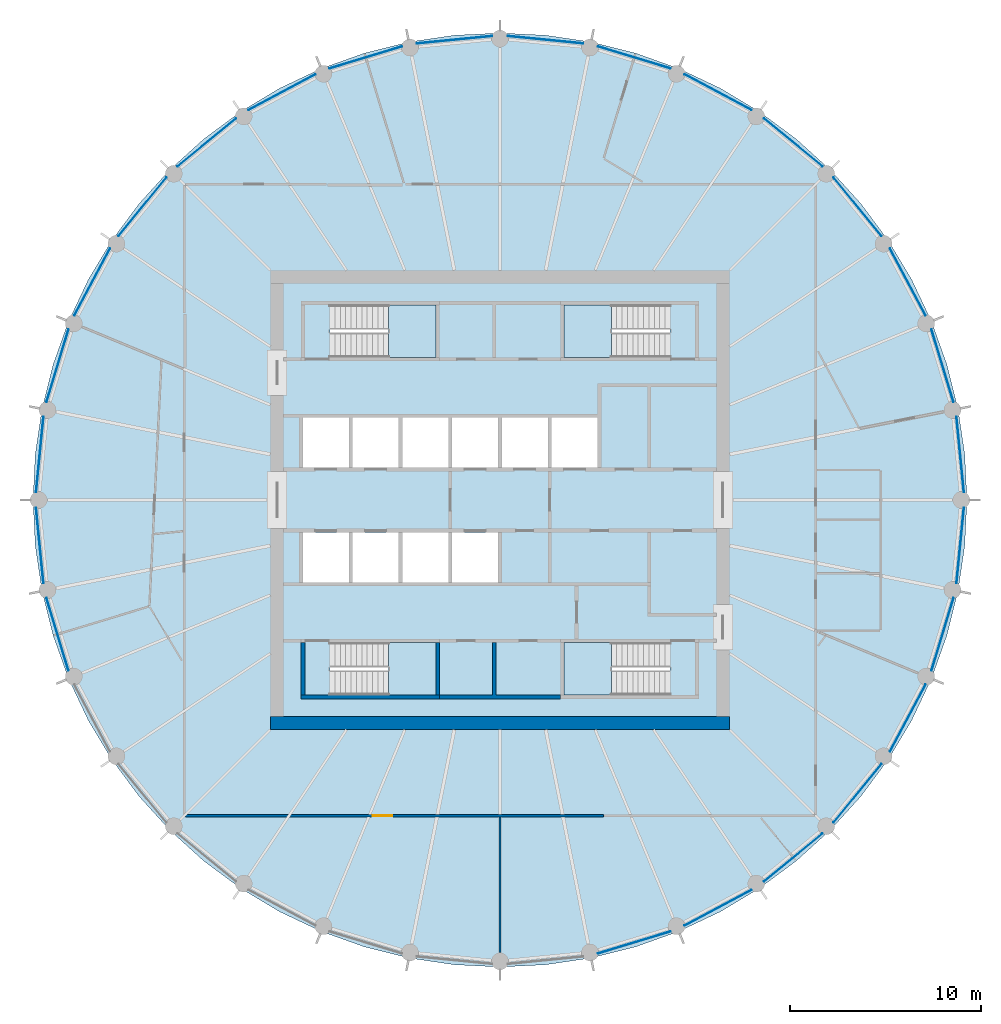
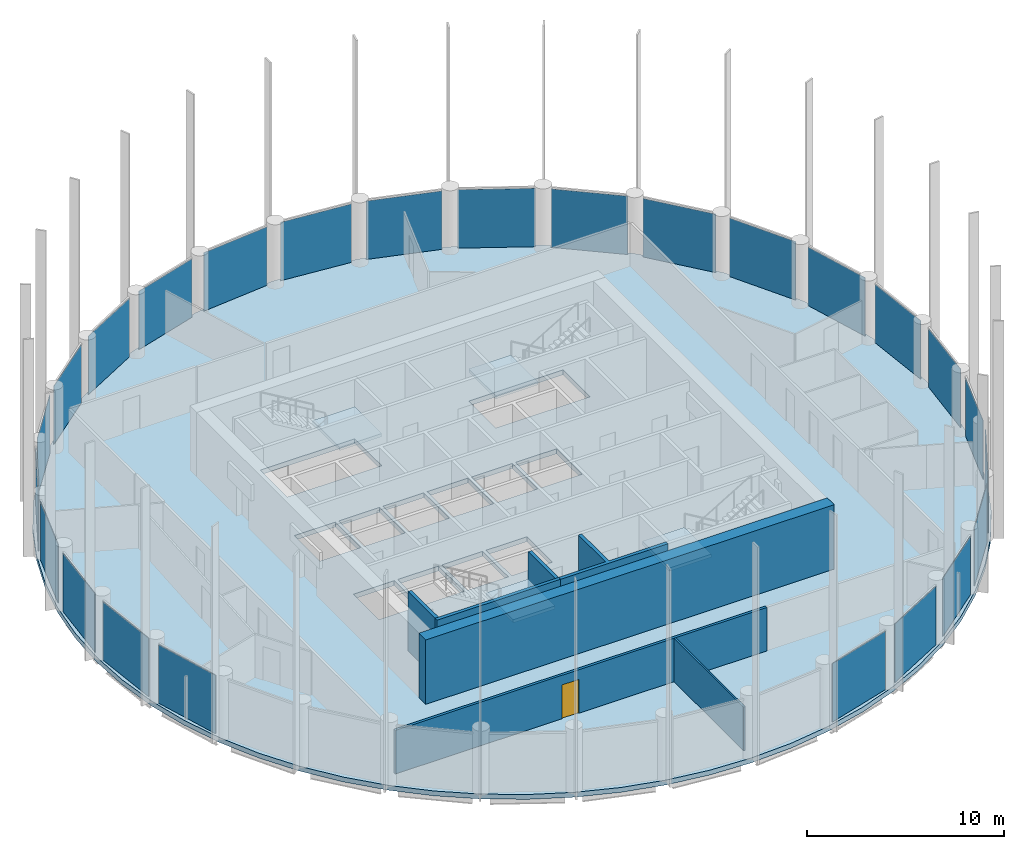
# One storey, part 3 of 7: 25 plates, 7 walls, 5 slabs, 1 door, 1 opening, 29 elements without a shape of their own.
"""IFC4 building model written with IfcOpenShell, lengths in metres."""

from ifc_helpers import new_model, si_unit, direction, frame, frame_2d, origin, origin_2d, place, context, subcontext, project, spatial, polyline, rectangle, outline, extrude, material, layer, layer_set, type_object, element, fill, aggregate, save


model = new_model("IFC4")

# Units and contexts
model_context = context("Model", 3, precision=1e-05, world=origin(), true_north=direction((0.0, 1.0)))
body_context = subcontext(model_context, "Body", "Model", "MODEL_VIEW")
ifc_project = project(units=[si_unit("LENGTHUNIT", "METRE"), si_unit("AREAUNIT", "SQUARE_METRE"), si_unit("VOLUMEUNIT", "CUBIC_METRE"), si_unit("PLANEANGLEUNIT", "RADIAN"), si_unit("MASSUNIT", "GRAM", prefix="KILO")], contexts=[model_context])

# Site, building, storey
site_placement = place(None, origin())
site = spatial("IfcSite", under=ifc_project, at=site_placement, CompositionType="ELEMENT")
building_placement = place(site_placement, origin())
building = spatial("IfcBuilding", under=site, at=building_placement, Name="Corvane Civic Tower", CompositionType="ELEMENT")
storey_placement = place(building_placement, frame((0.0, 0.0, 311.0)))
storey = spatial("IfcBuildingStorey", under=building, at=storey_placement, Name="L74", CompositionType="ELEMENT", Elevation=311.0)

# Slab
ifc_material_1 = material(Name="Concrete C40/50", Category="concrete")
ifc_layer_1 = layer(ifc_material_1, 0.300048828125)
ifc_layer_set_1 = layer_set([ifc_layer_1], Name="Concrete C40/50")
slab_type_1 = type_object("IfcSlabType", Name="FLOOR SLAB 300", PredefinedType="FLOOR", material=ifc_layer_set_1)
slab_1_placement = place(storey_placement, frame((0.0, 0.0, -0.300048828125)))
element("IfcSlab", 1, at=slab_1_placement, inside=storey, type_object=slab_type_1, Name="SLB-L74", PredefinedType="FLOOR", context=body_context, shape_type="SweptSolid", body=[
    extrude(outline(polyline([(0.0, 24.39990234375), (-2.3916015625, 24.282470703125), (-4.76025390625, 23.93115234375), (-7.0830078125, 23.349365234375), (-9.33740234375, 22.542724609375), (-11.502197265625, 21.518798828125), (-13.555908203125, 20.287841796875), (-15.479248046875, 18.861572265625), (-17.25341796875, 17.25341796875), (-18.861572265625, 15.479248046875), (-20.287841796875, 13.555908203125), (-21.518798828125, 11.502197265625), (-22.542724609375, 9.33740234375), (-23.349365234375, 7.0830078125), (-23.93115234375, 4.76025390625), (-24.282470703125, 2.3916015625), (-24.39990234375, 0.0), (-24.282470703125, -2.3916015625), (-23.93115234375, -4.76025390625), (-23.349365234375, -7.0830078125), (-22.542724609375, -9.33740234375), (-21.518798828125, -11.502197265625), (-20.287841796875, -13.555908203125), (-18.861572265625, -15.479248046875), (-17.25341796875, -17.25341796875), (-15.479248046875, -18.861572265625), (-13.555908203125, -20.287841796875), (-11.502197265625, -21.518798828125), (-9.33740234375, -22.542724609375), (-7.0830078125, -23.349365234375), (-4.76025390625, -23.93115234375), (-2.3916015625, -24.282470703125), (0.0, -24.39990234375), (2.3916015625, -24.282470703125), (4.76025390625, -23.93115234375), (7.0830078125, -23.349365234375), (9.33740234375, -22.542724609375), (11.502197265625, -21.518798828125), (13.555908203125, -20.287841796875), (15.479248046875, -18.861572265625), (17.25341796875, -17.25341796875), (18.861572265625, -15.479248046875), (20.287841796875, -13.555908203125), (21.518798828125, -11.502197265625), (22.542724609375, -9.33740234375), (23.349365234375, -7.0830078125), (23.93115234375, -4.76025390625), (24.282470703125, -2.3916015625), (24.39990234375, 0.0), (24.282470703125, 2.3916015625), (23.93115234375, 4.76025390625), (23.349365234375, 7.0830078125), (22.542724609375, 9.33740234375), (21.518798828125, 11.502197265625), (20.287841796875, 13.555908203125), (18.861572265625, 15.479248046875), (17.25341796875, 17.25341796875), (15.479248046875, 18.861572265625), (13.555908203125, 20.287841796875), (11.502197265625, 21.518798828125), (9.33740234375, 22.542724609375), (7.0830078125, 23.349365234375), (4.76025390625, 23.93115234375), (2.3916015625, 24.282470703125), (0.0, 24.39990234375)]), holes=[polyline([(-7.89990234375, 1.699951171875), (-10.300048828125, 1.699951171875), (-10.300048828125, 4.300048828125), (-7.89990234375, 4.300048828125), (-7.89990234375, 1.699951171875)]), polyline([(-5.300048828125, 1.699951171875), (-7.699951171875, 1.699951171875), (-7.699951171875, 4.300048828125), (-5.300048828125, 4.300048828125), (-5.300048828125, 1.699951171875)]), polyline([(-2.699951171875, 4.300048828125), (-2.699951171875, 1.699951171875), (-5.10009765625, 1.699951171875), (-5.10009765625, 4.300048828125), (-2.699951171875, 4.300048828125)]), polyline([(-0.10009765625, 4.300048828125), (-0.10009765625, 1.699951171875), (-2.5, 1.699951171875), (-2.5, 4.300048828125), (-0.10009765625, 4.300048828125)]), polyline([(2.5, 4.300048828125), (2.5, 1.699951171875), (0.10009765625, 1.699951171875), (0.10009765625, 4.300048828125), (2.5, 4.300048828125)]), polyline([(5.10009765625, 4.300048828125), (5.10009765625, 1.699951171875), (2.699951171875, 1.699951171875), (2.699951171875, 4.300048828125), (5.10009765625, 4.300048828125)]), polyline([(-10.300048828125, -4.300048828125), (-10.300048828125, -1.699951171875), (-7.89990234375, -1.699951171875), (-7.89990234375, -4.300048828125), (-10.300048828125, -4.300048828125)]), polyline([(-7.699951171875, -4.300048828125), (-7.699951171875, -1.699951171875), (-5.300048828125, -1.699951171875), (-5.300048828125, -4.300048828125), (-7.699951171875, -4.300048828125)]), polyline([(-2.699951171875, -1.699951171875), (-2.699951171875, -4.300048828125), (-5.10009765625, -4.300048828125), (-5.10009765625, -1.699951171875), (-2.699951171875, -1.699951171875)]), polyline([(-2.5, -4.300048828125), (-2.5, -1.699951171875), (-0.10009765625, -1.699951171875), (-0.10009765625, -4.300048828125), (-2.5, -4.300048828125)]), polyline([(8.889892578125, 10.199951171875), (8.889892578125, 7.449951171875), (3.35009765625, 7.449951171875), (3.35009765625, 10.199951171875), (8.889892578125, 10.199951171875)]), polyline([(-8.889892578125, 7.449951171875), (-8.889892578125, 10.199951171875), (-3.35009765625, 10.199951171875), (-3.35009765625, 7.449951171875), (-8.889892578125, 7.449951171875)]), polyline([(8.889892578125, -7.449951171875), (8.889892578125, -10.199951171875), (3.35009765625, -10.199951171875), (3.35009765625, -7.449951171875), (8.889892578125, -7.449951171875)]), polyline([(-8.889892578125, -10.199951171875), (-8.889892578125, -7.449951171875), (-3.35009765625, -7.449951171875), (-3.35009765625, -10.199951171875), (-8.889892578125, -10.199951171875)])]), origin(), (0.0, 0.0, 1.0), 0.300048828125),
])

# Stair, slab
ifc_material_2 = material(Name="Concrete C40/50", Category="concrete")
stair_type = type_object("IfcStairType", Name="ST-STAIR-HALFTURN", PredefinedType="HALF_TURN_STAIR", material=ifc_material_2)
stair_1_placement = place(storey_placement, origin())
stair_1 = element("IfcStair", 2, at=stair_1_placement, inside=storey, type_object=stair_type, Name="L74 Exit stair ST1", PredefinedType="HALF_TURN_STAIR")
ifc_material_3 = material(Name="Concrete C40/50", Category="concrete")
ifc_layer_2 = layer(ifc_material_3, 0.199951171875)
ifc_layer_set_2 = layer_set([ifc_layer_2], Name="Concrete C40/50")
slab_type_2 = type_object("IfcSlabType", Name="ST-LANDING-RC", PredefinedType="LANDING", material=ifc_layer_set_2)
slab_2_placement = place(storey_placement, frame((0.0, 0.0, 1.800048828125)))
slab_2 = element("IfcSlab", 3, at=slab_2_placement, type_object=slab_type_2, Name="ST1 landing 1", PredefinedType="LANDING", context=body_context, shape_type="SweptSolid", body=[
    extrude(outline(polyline([(5.820068359375, 10.199951171875), (3.35009765625, 10.199951171875), (3.35009765625, 7.449951171875), (5.820068359375, 7.449951171875), (5.820068359375, 10.199951171875)])), origin(), (0.0, 0.0, 1.0), 0.199951171875),
])
aggregate(stair_1, [slab_2])

stair_2_placement = place(storey_placement, origin())
stair_2 = element("IfcStair", 4, at=stair_2_placement, inside=storey, type_object=stair_type, Name="L74 Exit stair ST2", PredefinedType="HALF_TURN_STAIR")
slab_3_placement = place(storey_placement, frame((0.0, 0.0, 1.800048828125)))
slab_3 = element("IfcSlab", 5, at=slab_3_placement, type_object=slab_type_2, Name="ST2 landing 1", PredefinedType="LANDING", context=body_context, shape_type="SweptSolid", body=[
    extrude(outline(polyline([(5.820068359375, -7.449951171875), (3.35009765625, -7.449951171875), (3.35009765625, -10.199951171875), (5.820068359375, -10.199951171875), (5.820068359375, -7.449951171875)])), origin(), (0.0, 0.0, 1.0), 0.199951171875),
])
aggregate(stair_2, [slab_3])

stair_3_placement = place(storey_placement, origin())
stair_3 = element("IfcStair", 6, at=stair_3_placement, inside=storey, type_object=stair_type, Name="L74 Exit stair ST3", PredefinedType="HALF_TURN_STAIR")
slab_4_placement = place(storey_placement, frame((0.0, 0.0, 1.800048828125)))
slab_4 = element("IfcSlab", 7, at=slab_4_placement, type_object=slab_type_2, Name="ST3 landing 1", PredefinedType="LANDING", context=body_context, shape_type="SweptSolid", body=[
    extrude(outline(polyline([(-5.820068359375, -10.199951171875), (-3.35009765625, -10.199951171875), (-3.35009765625, -7.449951171875), (-5.820068359375, -7.449951171875), (-5.820068359375, -10.199951171875)])), origin(), (0.0, 0.0, 1.0), 0.199951171875),
])
aggregate(stair_3, [slab_4])

stair_4_placement = place(storey_placement, origin())
stair_4 = element("IfcStair", 8, at=stair_4_placement, inside=storey, type_object=stair_type, Name="L74 Exit stair ST4", PredefinedType="HALF_TURN_STAIR")
slab_5_placement = place(storey_placement, frame((0.0, 0.0, 1.800048828125)))
slab_5 = element("IfcSlab", 9, at=slab_5_placement, type_object=slab_type_2, Name="ST4 landing 1", PredefinedType="LANDING", context=body_context, shape_type="SweptSolid", body=[
    extrude(outline(polyline([(-5.820068359375, 7.449951171875), (-3.35009765625, 7.449951171875), (-3.35009765625, 10.199951171875), (-5.820068359375, 10.199951171875), (-5.820068359375, 7.449951171875)])), origin(), (0.0, 0.0, 1.0), 0.199951171875),
])
aggregate(stair_4, [slab_5])

# Curtain wall, plate
ifc_material_4 = material(Name="Anodised aluminium bronze", Category="aluminium")
curtain_wall_type = type_object("IfcCurtainWallType", Name="TOWER CW-T3 STICK CURTAIN WALL", PredefinedType="NOTDEFINED", material=ifc_material_4)
curtain_wall_1_placement = place(storey_placement, origin())
curtain_wall_1 = element("IfcCurtainWall", 10, at=curtain_wall_1_placement, inside=storey, type_object=curtain_wall_type, Name="Curtain wall CW-T3 L74 bay 01", PredefinedType="NOTDEFINED")
ifc_material_5 = material(Name="Tinted glass", Category="glass")
ifc_layer_3 = layer(ifc_material_5, 0.028076171875)
ifc_layer_set_3 = layer_set([ifc_layer_3], Name="Tinted glass")
plate_type = type_object("IfcPlateType", Name="TOWER CW-T3 PANEL IGU28", PredefinedType="CURTAIN_PANEL", material=ifc_layer_set_3)
plate_1_placement = place(storey_placement, frame((2.368408203125, 24.046875, 0.0), z_axis=(0.0, 0.0, 1.0), x_axis=(0.99518437747, -0.098020685775, 0.0)))
plate_1 = element("IfcPlate", 11, at=plate_1_placement, type_object=plate_type, Name="Glass panel CW-T3 L74 01.1", PredefinedType="CURTAIN_PANEL", context=body_context, shape_type="SweptSolid", body=[
    extrude(rectangle(XDim=3.958740234375, YDim=0.028076171875, at=origin_2d()), origin(), (0.0, 0.0, 1.0), 3.6298828125),
])
aggregate(curtain_wall_1, [plate_1])

curtain_wall_2_placement = place(storey_placement, origin())
curtain_wall_2 = element("IfcCurtainWall", 12, at=curtain_wall_2_placement, inside=storey, type_object=curtain_wall_type, Name="Curtain wall CW-T3 L74 bay 02", PredefinedType="NOTDEFINED")
plate_2_placement = place(storey_placement, frame((7.01416015625, 23.12255859375, 0.0), z_axis=(0.0, 0.0, 1.0), x_axis=(0.956943694519, -0.290273604586, 0.0)))
plate_2 = element("IfcPlate", 13, at=plate_2_placement, type_object=plate_type, Name="Glass panel CW-T3 L74 02.1", PredefinedType="CURTAIN_PANEL", context=body_context, shape_type="SweptSolid", body=[
    extrude(rectangle(XDim=3.958984375, YDim=0.028076171875, at=origin_2d()), origin(), (0.0, 0.0, 1.0), 3.6298828125),
])
aggregate(curtain_wall_2, [plate_2])

curtain_wall_3_placement = place(storey_placement, origin())
curtain_wall_3 = element("IfcCurtainWall", 14, at=curtain_wall_3_placement, inside=storey, type_object=curtain_wall_type, Name="Curtain wall CW-T3 L74 bay 03", PredefinedType="NOTDEFINED")
plate_3_placement = place(storey_placement, frame((11.390380859375, 21.31005859375, 0.0), z_axis=(0.0, 0.0, 1.0), x_axis=(0.881908138655, -0.471421292448, 0.0)))
plate_3 = element("IfcPlate", 15, at=plate_3_placement, type_object=plate_type, Name="Glass panel CW-T3 L74 03.1", PredefinedType="CURTAIN_PANEL", context=body_context, shape_type="SweptSolid", body=[
    extrude(rectangle(XDim=3.958740234375, YDim=0.028076171875, at=origin_2d()), origin(), (0.0, 0.0, 1.0), 3.6298828125),
])
aggregate(curtain_wall_3, [plate_3])

curtain_wall_4_placement = place(storey_placement, origin())
curtain_wall_4 = element("IfcCurtainWall", 16, at=curtain_wall_4_placement, inside=storey, type_object=curtain_wall_type, Name="Curtain wall CW-T3 L74 bay 04", PredefinedType="NOTDEFINED")
plate_4_placement = place(storey_placement, frame((15.328857421875, 18.67822265625, 0.0), z_axis=(0.0, 0.0, 1.0), x_axis=(0.773001130565, -0.634404643855, 0.0)))
plate_4 = element("IfcPlate", 17, at=plate_4_placement, type_object=plate_type, Name="Glass panel CW-T3 L74 04.1", PredefinedType="CURTAIN_PANEL", context=body_context, shape_type="SweptSolid", body=[
    extrude(rectangle(XDim=3.958740234375, YDim=0.028076171875, at=origin_2d()), origin(), (0.0, 0.0, 1.0), 3.6298828125),
])
aggregate(curtain_wall_4, [plate_4])

curtain_wall_5_placement = place(storey_placement, origin())
curtain_wall_5 = element("IfcCurtainWall", 18, at=curtain_wall_5_placement, inside=storey, type_object=curtain_wall_type, Name="Curtain wall CW-T3 L74 bay 05", PredefinedType="NOTDEFINED")
plate_5_placement = place(storey_placement, frame((18.67822265625, 15.328857421875, 0.0), z_axis=(0.0, 0.0, 1.0), x_axis=(0.634404643855, -0.773001130565, 0.0)))
plate_5 = element("IfcPlate", 19, at=plate_5_placement, type_object=plate_type, Name="Glass panel CW-T3 L74 05.1", PredefinedType="CURTAIN_PANEL", context=body_context, shape_type="SweptSolid", body=[
    extrude(rectangle(XDim=3.958740234375, YDim=0.028076171875, at=origin_2d()), origin(), (0.0, 0.0, 1.0), 3.6298828125),
])
aggregate(curtain_wall_5, [plate_5])

curtain_wall_6_placement = place(storey_placement, origin())
curtain_wall_6 = element("IfcCurtainWall", 20, at=curtain_wall_6_placement, inside=storey, type_object=curtain_wall_type, Name="Curtain wall CW-T3 L74 bay 06", PredefinedType="NOTDEFINED")
plate_6_placement = place(storey_placement, frame((21.31005859375, 11.390380859375, 0.0), z_axis=(0.0, 0.0, 1.0), x_axis=(0.471421292448, -0.881908138655, 0.0)))
plate_6 = element("IfcPlate", 21, at=plate_6_placement, type_object=plate_type, Name="Glass panel CW-T3 L74 06.1", PredefinedType="CURTAIN_PANEL", context=body_context, shape_type="SweptSolid", body=[
    extrude(rectangle(XDim=3.958740234375, YDim=0.028076171875, at=origin_2d()), origin(), (0.0, 0.0, 1.0), 3.6298828125),
])
aggregate(curtain_wall_6, [plate_6])

curtain_wall_7_placement = place(storey_placement, origin())
curtain_wall_7 = element("IfcCurtainWall", 22, at=curtain_wall_7_placement, inside=storey, type_object=curtain_wall_type, Name="Curtain wall CW-T3 L74 bay 07", PredefinedType="NOTDEFINED")
plate_7_placement = place(storey_placement, frame((23.12255859375, 7.01416015625, 0.0), z_axis=(0.0, 0.0, 1.0), x_axis=(0.290273604586, -0.956943694519, 0.0)))
plate_7 = element("IfcPlate", 23, at=plate_7_placement, type_object=plate_type, Name="Glass panel CW-T3 L74 07.1", PredefinedType="CURTAIN_PANEL", context=body_context, shape_type="SweptSolid", body=[
    extrude(rectangle(XDim=3.958984375, YDim=0.028076171875, at=origin_2d()), origin(), (0.0, 0.0, 1.0), 3.6298828125),
])
aggregate(curtain_wall_7, [plate_7])

curtain_wall_8_placement = place(storey_placement, origin())
curtain_wall_8 = element("IfcCurtainWall", 24, at=curtain_wall_8_placement, inside=storey, type_object=curtain_wall_type, Name="Curtain wall CW-T3 L74 bay 08", PredefinedType="NOTDEFINED")
plate_8_placement = place(storey_placement, frame((24.046875, 2.368408203125, 0.0), z_axis=(0.0, 0.0, 1.0), x_axis=(0.098020685775, -0.99518437747, 0.0)))
plate_8 = element("IfcPlate", 25, at=plate_8_placement, type_object=plate_type, Name="Glass panel CW-T3 L74 08.1", PredefinedType="CURTAIN_PANEL", context=body_context, shape_type="SweptSolid", body=[
    extrude(rectangle(XDim=3.958740234375, YDim=0.028076171875, at=origin_2d()), origin(), (0.0, 0.0, 1.0), 3.6298828125),
])
aggregate(curtain_wall_8, [plate_8])

curtain_wall_9_placement = place(storey_placement, origin())
curtain_wall_9 = element("IfcCurtainWall", 26, at=curtain_wall_9_placement, inside=storey, type_object=curtain_wall_type, Name="Curtain wall CW-T3 L74 bay 09", PredefinedType="NOTDEFINED")
plate_9_placement = place(storey_placement, frame((24.046875, -2.368408203125, 0.0), z_axis=(0.0, 0.0, 1.0), x_axis=(-0.098020685775, -0.99518437747, 0.0)))
plate_9 = element("IfcPlate", 27, at=plate_9_placement, type_object=plate_type, Name="Glass panel CW-T3 L74 09.1", PredefinedType="CURTAIN_PANEL", context=body_context, shape_type="SweptSolid", body=[
    extrude(rectangle(XDim=3.958740234375, YDim=0.028076171875, at=origin_2d()), origin(), (0.0, 0.0, 1.0), 3.6298828125),
])
aggregate(curtain_wall_9, [plate_9])

curtain_wall_10_placement = place(storey_placement, origin())
curtain_wall_10 = element("IfcCurtainWall", 28, at=curtain_wall_10_placement, inside=storey, type_object=curtain_wall_type, Name="Curtain wall CW-T3 L74 bay 10", PredefinedType="NOTDEFINED")
plate_10_placement = place(storey_placement, frame((23.12255859375, -7.01416015625, 0.0), z_axis=(0.0, 0.0, 1.0), x_axis=(-0.290273604586, -0.956943694519, 0.0)))
plate_10 = element("IfcPlate", 29, at=plate_10_placement, type_object=plate_type, Name="Glass panel CW-T3 L74 10.1", PredefinedType="CURTAIN_PANEL", context=body_context, shape_type="SweptSolid", body=[
    extrude(rectangle(XDim=3.958984375, YDim=0.028076171875, at=origin_2d()), origin(), (0.0, 0.0, 1.0), 3.6298828125),
])
aggregate(curtain_wall_10, [plate_10])

curtain_wall_11_placement = place(storey_placement, origin())
curtain_wall_11 = element("IfcCurtainWall", 30, at=curtain_wall_11_placement, inside=storey, type_object=curtain_wall_type, Name="Curtain wall CW-T3 L74 bay 11", PredefinedType="NOTDEFINED")
plate_11_placement = place(storey_placement, frame((21.31005859375, -11.390380859375, 0.0), z_axis=(0.0, 0.0, 1.0), x_axis=(-0.471421292448, -0.881908138655, 0.0)))
plate_11 = element("IfcPlate", 31, at=plate_11_placement, type_object=plate_type, Name="Glass panel CW-T3 L74 11.1", PredefinedType="CURTAIN_PANEL", context=body_context, shape_type="SweptSolid", body=[
    extrude(rectangle(XDim=3.958740234375, YDim=0.028076171875, at=origin_2d()), origin(), (0.0, 0.0, 1.0), 3.6298828125),
])
aggregate(curtain_wall_11, [plate_11])

curtain_wall_12_placement = place(storey_placement, origin())
curtain_wall_12 = element("IfcCurtainWall", 32, at=curtain_wall_12_placement, inside=storey, type_object=curtain_wall_type, Name="Curtain wall CW-T3 L74 bay 12", PredefinedType="NOTDEFINED")
plate_12_placement = place(storey_placement, frame((18.67822265625, -15.328857421875, 0.0), z_axis=(0.0, 0.0, 1.0), x_axis=(-0.634404643855, -0.773001130565, 0.0)))
plate_12 = element("IfcPlate", 33, at=plate_12_placement, type_object=plate_type, Name="Glass panel CW-T3 L74 12.1", PredefinedType="CURTAIN_PANEL", context=body_context, shape_type="SweptSolid", body=[
    extrude(rectangle(XDim=3.958740234375, YDim=0.028076171875, at=origin_2d()), origin(), (0.0, 0.0, 1.0), 3.6298828125),
])
aggregate(curtain_wall_12, [plate_12])

curtain_wall_13_placement = place(storey_placement, origin())
curtain_wall_13 = element("IfcCurtainWall", 34, at=curtain_wall_13_placement, inside=storey, type_object=curtain_wall_type, Name="Curtain wall CW-T3 L74 bay 13", PredefinedType="NOTDEFINED")
plate_13_placement = place(storey_placement, frame((15.328857421875, -18.67822265625, 0.0), z_axis=(0.0, 0.0, 1.0), x_axis=(-0.773001130565, -0.634404643855, 0.0)))
plate_13 = element("IfcPlate", 35, at=plate_13_placement, type_object=plate_type, Name="Glass panel CW-T3 L74 13.1", PredefinedType="CURTAIN_PANEL", context=body_context, shape_type="SweptSolid", body=[
    extrude(rectangle(XDim=3.958740234375, YDim=0.028076171875, at=origin_2d()), origin(), (0.0, 0.0, 1.0), 3.6298828125),
])
aggregate(curtain_wall_13, [plate_13])

curtain_wall_14_placement = place(storey_placement, origin())
curtain_wall_14 = element("IfcCurtainWall", 36, at=curtain_wall_14_placement, inside=storey, type_object=curtain_wall_type, Name="Curtain wall CW-T3 L74 bay 14", PredefinedType="NOTDEFINED")
plate_14_placement = place(storey_placement, frame((11.390380859375, -21.31005859375, 0.0), z_axis=(0.0, 0.0, 1.0), x_axis=(-0.881908138655, -0.471421292448, 0.0)))
plate_14 = element("IfcPlate", 37, at=plate_14_placement, type_object=plate_type, Name="Glass panel CW-T3 L74 14.1", PredefinedType="CURTAIN_PANEL", context=body_context, shape_type="SweptSolid", body=[
    extrude(rectangle(XDim=3.958740234375, YDim=0.028076171875, at=origin_2d()), origin(), (0.0, 0.0, 1.0), 3.6298828125),
])
aggregate(curtain_wall_14, [plate_14])

curtain_wall_15_placement = place(storey_placement, origin())
curtain_wall_15 = element("IfcCurtainWall", 38, at=curtain_wall_15_placement, inside=storey, type_object=curtain_wall_type, Name="Curtain wall CW-T3 L74 bay 15", PredefinedType="NOTDEFINED")
plate_15_placement = place(storey_placement, frame((7.01416015625, -23.12255859375, 0.0), z_axis=(0.0, 0.0, 1.0), x_axis=(-0.956943694519, -0.290273604586, 0.0)))
plate_15 = element("IfcPlate", 39, at=plate_15_placement, type_object=plate_type, Name="Glass panel CW-T3 L74 15.1", PredefinedType="CURTAIN_PANEL", context=body_context, shape_type="SweptSolid", body=[
    extrude(rectangle(XDim=3.958984375, YDim=0.028076171875, at=origin_2d()), origin(), (0.0, 0.0, 1.0), 3.6298828125),
])
aggregate(curtain_wall_15, [plate_15])

curtain_wall_16_placement = place(storey_placement, origin())
curtain_wall_16 = element("IfcCurtainWall", 40, at=curtain_wall_16_placement, inside=storey, type_object=curtain_wall_type, Name="Curtain wall CW-T3 L74 bay 23", PredefinedType="NOTDEFINED")
plate_16_placement = place(storey_placement, frame((-23.12255859375, -7.01416015625, 0.0), z_axis=(0.0, 0.0, 1.0), x_axis=(-0.290273604586, 0.956943694519, 0.0)))
plate_16 = element("IfcPlate", 41, at=plate_16_placement, type_object=plate_type, Name="Glass panel CW-T3 L74 23.1", PredefinedType="CURTAIN_PANEL", context=body_context, shape_type="SweptSolid", body=[
    extrude(rectangle(XDim=3.958984375, YDim=0.028076171875, at=origin_2d()), origin(), (0.0, 0.0, 1.0), 3.6298828125),
])
aggregate(curtain_wall_16, [plate_16])

curtain_wall_17_placement = place(storey_placement, origin())
curtain_wall_17 = element("IfcCurtainWall", 42, at=curtain_wall_17_placement, inside=storey, type_object=curtain_wall_type, Name="Curtain wall CW-T3 L74 bay 24", PredefinedType="NOTDEFINED")
plate_17_placement = place(storey_placement, frame((-24.046875, -2.368408203125, 0.0), z_axis=(0.0, 0.0, 1.0), x_axis=(-0.098020685775, 0.99518437747, 0.0)))
plate_17 = element("IfcPlate", 43, at=plate_17_placement, type_object=plate_type, Name="Glass panel CW-T3 L74 24.1", PredefinedType="CURTAIN_PANEL", context=body_context, shape_type="SweptSolid", body=[
    extrude(rectangle(XDim=3.958740234375, YDim=0.028076171875, at=origin_2d()), origin(), (0.0, 0.0, 1.0), 3.6298828125),
])
aggregate(curtain_wall_17, [plate_17])

curtain_wall_18_placement = place(storey_placement, origin())
curtain_wall_18 = element("IfcCurtainWall", 44, at=curtain_wall_18_placement, inside=storey, type_object=curtain_wall_type, Name="Curtain wall CW-T3 L74 bay 25", PredefinedType="NOTDEFINED")
plate_18_placement = place(storey_placement, frame((-24.046875, 2.368408203125, 0.0), z_axis=(0.0, 0.0, 1.0), x_axis=(0.098020685775, 0.99518437747, 0.0)))
plate_18 = element("IfcPlate", 45, at=plate_18_placement, type_object=plate_type, Name="Glass panel CW-T3 L74 25.1", PredefinedType="CURTAIN_PANEL", context=body_context, shape_type="SweptSolid", body=[
    extrude(rectangle(XDim=3.958740234375, YDim=0.028076171875, at=origin_2d()), origin(), (0.0, 0.0, 1.0), 3.6298828125),
])
aggregate(curtain_wall_18, [plate_18])

curtain_wall_19_placement = place(storey_placement, origin())
curtain_wall_19 = element("IfcCurtainWall", 46, at=curtain_wall_19_placement, inside=storey, type_object=curtain_wall_type, Name="Curtain wall CW-T3 L74 bay 26", PredefinedType="NOTDEFINED")
plate_19_placement = place(storey_placement, frame((-23.12255859375, 7.01416015625, 0.0), z_axis=(0.0, 0.0, 1.0), x_axis=(0.290273604586, 0.956943694519, 0.0)))
plate_19 = element("IfcPlate", 47, at=plate_19_placement, type_object=plate_type, Name="Glass panel CW-T3 L74 26.1", PredefinedType="CURTAIN_PANEL", context=body_context, shape_type="SweptSolid", body=[
    extrude(rectangle(XDim=3.958984375, YDim=0.028076171875, at=origin_2d()), origin(), (0.0, 0.0, 1.0), 3.6298828125),
])
aggregate(curtain_wall_19, [plate_19])

curtain_wall_20_placement = place(storey_placement, origin())
curtain_wall_20 = element("IfcCurtainWall", 48, at=curtain_wall_20_placement, inside=storey, type_object=curtain_wall_type, Name="Curtain wall CW-T3 L74 bay 27", PredefinedType="NOTDEFINED")
plate_20_placement = place(storey_placement, frame((-21.31005859375, 11.390380859375, 0.0), z_axis=(0.0, 0.0, 1.0), x_axis=(0.471421292448, 0.881908138655, 0.0)))
plate_20 = element("IfcPlate", 49, at=plate_20_placement, type_object=plate_type, Name="Glass panel CW-T3 L74 27.1", PredefinedType="CURTAIN_PANEL", context=body_context, shape_type="SweptSolid", body=[
    extrude(rectangle(XDim=3.958740234375, YDim=0.028076171875, at=origin_2d()), origin(), (0.0, 0.0, 1.0), 3.6298828125),
])
aggregate(curtain_wall_20, [plate_20])

curtain_wall_21_placement = place(storey_placement, origin())
curtain_wall_21 = element("IfcCurtainWall", 50, at=curtain_wall_21_placement, inside=storey, type_object=curtain_wall_type, Name="Curtain wall CW-T3 L74 bay 28", PredefinedType="NOTDEFINED")
plate_21_placement = place(storey_placement, frame((-18.67822265625, 15.328857421875, 0.0), z_axis=(0.0, 0.0, 1.0), x_axis=(0.634404643855, 0.773001130565, 0.0)))
plate_21 = element("IfcPlate", 51, at=plate_21_placement, type_object=plate_type, Name="Glass panel CW-T3 L74 28.1", PredefinedType="CURTAIN_PANEL", context=body_context, shape_type="SweptSolid", body=[
    extrude(rectangle(XDim=3.958740234375, YDim=0.028076171875, at=origin_2d()), origin(), (0.0, 0.0, 1.0), 3.6298828125),
])
aggregate(curtain_wall_21, [plate_21])

curtain_wall_22_placement = place(storey_placement, origin())
curtain_wall_22 = element("IfcCurtainWall", 52, at=curtain_wall_22_placement, inside=storey, type_object=curtain_wall_type, Name="Curtain wall CW-T3 L74 bay 29", PredefinedType="NOTDEFINED")
plate_22_placement = place(storey_placement, frame((-15.328857421875, 18.67822265625, 0.0), z_axis=(0.0, 0.0, 1.0), x_axis=(0.773001130565, 0.634404643855, 0.0)))
plate_22 = element("IfcPlate", 53, at=plate_22_placement, type_object=plate_type, Name="Glass panel CW-T3 L74 29.1", PredefinedType="CURTAIN_PANEL", context=body_context, shape_type="SweptSolid", body=[
    extrude(rectangle(XDim=3.958740234375, YDim=0.028076171875, at=origin_2d()), origin(), (0.0, 0.0, 1.0), 3.6298828125),
])
aggregate(curtain_wall_22, [plate_22])

curtain_wall_23_placement = place(storey_placement, origin())
curtain_wall_23 = element("IfcCurtainWall", 54, at=curtain_wall_23_placement, inside=storey, type_object=curtain_wall_type, Name="Curtain wall CW-T3 L74 bay 30", PredefinedType="NOTDEFINED")
plate_23_placement = place(storey_placement, frame((-11.390380859375, 21.31005859375, 0.0), z_axis=(0.0, 0.0, 1.0), x_axis=(0.881908138655, 0.471421292448, 0.0)))
plate_23 = element("IfcPlate", 55, at=plate_23_placement, type_object=plate_type, Name="Glass panel CW-T3 L74 30.1", PredefinedType="CURTAIN_PANEL", context=body_context, shape_type="SweptSolid", body=[
    extrude(rectangle(XDim=3.958740234375, YDim=0.028076171875, at=origin_2d()), origin(), (0.0, 0.0, 1.0), 3.6298828125),
])
aggregate(curtain_wall_23, [plate_23])

curtain_wall_24_placement = place(storey_placement, origin())
curtain_wall_24 = element("IfcCurtainWall", 56, at=curtain_wall_24_placement, inside=storey, type_object=curtain_wall_type, Name="Curtain wall CW-T3 L74 bay 31", PredefinedType="NOTDEFINED")
plate_24_placement = place(storey_placement, frame((-7.01416015625, 23.12255859375, 0.0), z_axis=(0.0, 0.0, 1.0), x_axis=(0.956943694519, 0.290273604586, 0.0)))
plate_24 = element("IfcPlate", 57, at=plate_24_placement, type_object=plate_type, Name="Glass panel CW-T3 L74 31.1", PredefinedType="CURTAIN_PANEL", context=body_context, shape_type="SweptSolid", body=[
    extrude(rectangle(XDim=3.958984375, YDim=0.028076171875, at=origin_2d()), origin(), (0.0, 0.0, 1.0), 3.6298828125),
])
aggregate(curtain_wall_24, [plate_24])

curtain_wall_25_placement = place(storey_placement, origin())
curtain_wall_25 = element("IfcCurtainWall", 58, at=curtain_wall_25_placement, inside=storey, type_object=curtain_wall_type, Name="Curtain wall CW-T3 L74 bay 32", PredefinedType="NOTDEFINED")
plate_25_placement = place(storey_placement, frame((-2.368408203125, 24.046875, 0.0), z_axis=(0.0, 0.0, 1.0), x_axis=(0.99518437747, 0.098020685775, 0.0)))
plate_25 = element("IfcPlate", 59, at=plate_25_placement, type_object=plate_type, Name="Glass panel CW-T3 L74 32.1", PredefinedType="CURTAIN_PANEL", context=body_context, shape_type="SweptSolid", body=[
    extrude(rectangle(XDim=3.958740234375, YDim=0.028076171875, at=origin_2d()), origin(), (0.0, 0.0, 1.0), 3.6298828125),
])
aggregate(curtain_wall_25, [plate_25])

# Walls
ifc_material_6 = material(Name="Concrete C40/50", Category="concrete")
ifc_layer_4 = layer(ifc_material_6, 0.699951171875)
ifc_layer_set_4 = layer_set([ifc_layer_4], Name="Concrete C40/50")
wall_type_1 = type_object("IfcWallType", Name="CORE WALL 700 C40/50", PredefinedType="SHEAR", material=ifc_layer_set_4)
wall_1_placement = place(storey_placement, frame((-12.0, -11.64990234375, 0.0), z_axis=(0.0, 0.0, 1.0), x_axis=(1.0, 0.0, 0.0)))
element("IfcWall", 60, at=wall_1_placement, inside=storey, type_object=wall_type_1, Name="W-L74-core-S", PredefinedType="SHEAR", context=body_context, shape_type="SweptSolid", body=[
    extrude(rectangle(XDim=24.0, YDim=0.699951171875, at=frame_2d((12.0, 0.0))), origin(), (0.0, 0.0, 1.0), 4.0),
])
ifc_material_7 = material(Name="Concrete C30/37", Category="concrete")
ifc_layer_5 = layer(ifc_material_7, 0.199951171875)
ifc_layer_set_5 = layer_set([ifc_layer_5], Name="Concrete C30/37")
wall_type_2 = type_object("IfcWallType", Name="CR-WALL-200", PredefinedType="PARTITIONING", material=ifc_layer_set_5)
wall_2_placement = place(storey_placement, origin())
element("IfcWall", 61, at=wall_2_placement, inside=storey, type_object=wall_type_2, Name="L74 core partition wall", PredefinedType="PARTITIONING", context=body_context, shape_type="SweptSolid", body=[
    extrude(outline(polyline([(-0.199951171875, -7.449951171875), (-0.199951171875, -10.199951171875), (3.14990234375, -10.199951171875), (3.14990234375, -10.39990234375), (-3.14990234375, -10.39990234375), (-3.14990234375, -10.199951171875), (-0.39990234375, -10.199951171875), (-0.39990234375, -7.449951171875), (-0.199951171875, -7.449951171875)])), origin(), (0.0, 0.0, 1.0), 3.699951171875),
])
ifc_material_8 = material(Name="Plasterboard")
ifc_layer_6 = layer(ifc_material_8, 0.10009765625)
ifc_layer_set_6 = layer_set([ifc_layer_6], Name="Plasterboard")
wall_type_3 = type_object("IfcWallType", Name="Partition 100 plasterboard on studs", PredefinedType="PARTITIONING", material=ifc_layer_set_6)
wall_3_placement = place(storey_placement, frame((0.0, -23.64013671875, 0.0), z_axis=(0.0, 0.0, 1.0), x_axis=(0.0, 1.0, 0.0)))
element("IfcWall", 62, at=wall_3_placement, inside=storey, type_object=wall_type_3, Name="Partition L74.001", PredefinedType="PARTITIONING", context=body_context, shape_type="SweptSolid", body=[
    extrude(rectangle(XDim=7.065185546875, YDim=0.10009765625, at=frame_2d((3.53271484375, 0.0))), origin(), (0.0, 0.0, 1.0), 2.699951171875),
])
ifc_material_9 = material(Name="Concrete C50/60", Category="concrete")
ifc_layer_7 = layer(ifc_material_9, 0.199951171875)
ifc_layer_set_7 = layer_set([ifc_layer_7], Name="Concrete C50/60")
wall_type_4 = type_object("IfcWallType", Name="ST-WALL-200", PredefinedType="SHEAR", material=ifc_layer_set_7)
wall_4_placement = place(storey_placement, origin())
element("IfcWall", 63, at=wall_4_placement, inside=storey, type_object=wall_type_4, Name="L74 stair enclosure wall", PredefinedType="SHEAR", context=body_context, shape_type="SweptSolid", body=[
    extrude(outline(polyline([(-3.14990234375, -10.199951171875), (-3.14990234375, -10.39990234375), (-10.39990234375, -10.39990234375), (-10.39990234375, -10.199951171875), (-3.14990234375, -10.199951171875)])), origin(), (0.0, 0.0, 1.0), 3.699951171875),
])
wall_5_placement = place(storey_placement, origin())
element("IfcWall", 64, at=wall_5_placement, inside=storey, type_object=wall_type_4, Name="L74 stair enclosure wall", PredefinedType="SHEAR", context=body_context, shape_type="SweptSolid", body=[
    extrude(outline(polyline([(-3.14990234375, -7.449951171875), (-3.14990234375, -10.199951171875), (-3.35009765625, -10.199951171875), (-3.35009765625, -7.449951171875), (-3.14990234375, -7.449951171875)])), origin(), (0.0, 0.0, 1.0), 3.699951171875),
])
wall_6_placement = place(storey_placement, origin())
element("IfcWall", 65, at=wall_6_placement, inside=storey, type_object=wall_type_4, Name="L74 stair enclosure wall", PredefinedType="SHEAR", context=body_context, shape_type="SweptSolid", body=[
    extrude(outline(polyline([(-10.199951171875, -7.449951171875), (-10.199951171875, -10.199951171875), (-10.39990234375, -10.199951171875), (-10.39990234375, -7.449951171875), (-10.199951171875, -7.449951171875)])), origin(), (0.0, 0.0, 1.0), 3.699951171875),
])

# Wall, opening, door
ifc_material_10 = material(Name="Plasterboard")
ifc_layer_8 = layer(ifc_material_10, 0.14990234375)
ifc_layer_set_8 = layer_set([ifc_layer_8], Name="Plasterboard")
wall_type_5 = type_object("IfcWallType", Name="Tenancy wall 150 EI 60", PredefinedType="PARTITIONING", material=ifc_layer_set_8)
wall_7_placement = place(storey_placement, frame((-16.425048828125, -16.5, 0.0), z_axis=(0.0, 0.0, 1.0), x_axis=(1.0, 0.0, 0.0)))
wall_7 = element("IfcWall", 66, at=wall_7_placement, inside=storey, type_object=wall_type_5, Name="Partition L74.003", PredefinedType="PARTITIONING", context=body_context, shape_type="SweptSolid", body=[
    extrude(rectangle(XDim=21.821044921875, YDim=0.14990234375, at=frame_2d((10.91064453125, 0.0))), origin(), (0.0, 0.0, 1.0), 2.699951171875),
])
opening_placement = place(wall_7_placement, frame((9.7822265625, 0.0, 0.0)))
opening = element("IfcOpeningElement", 67, at=opening_placement, cuts=wall_7, Name="Opening L74.003", PredefinedType="OPENING", context=body_context, shape_type="SweptSolid", body=[
    extrude(rectangle(XDim=1.0, YDim=2.10009765625, at=frame_2d((0.5, 1.050048828125))), frame((0.0, 0.0849609375, 0.0), z_axis=(0.0, -1.0, 0.0), x_axis=(1.0, 0.0, 0.0)), (0.0, 0.0, 1.0), 0.169921875),
])
ifc_material_11 = material(Name="Steel and timber", Category="steel")
door_type = type_object("IfcDoorType", Name="Fire door FD30S 1000", OperationType="NOTDEFINED", PredefinedType="DOOR", material=ifc_material_11)
door_placement = place(opening_placement, frame((1.0, 0.0, 0.0), z_axis=(0.0, 0.0, 1.0), x_axis=(-1.0, 0.0, 0.0)))
door = element("IfcDoor", 68, at=door_placement, inside=storey, type_object=door_type, Name="Door L74.003", OperationType="SINGLE_SWING_LEFT", OverallHeight=2.10009765625, OverallWidth=1.0, PredefinedType="DOOR", context=body_context, shape_type="SweptSolid", body=[
    extrude(rectangle(XDim=1.0, YDim=2.10009765625, at=frame_2d((0.5, 1.050048828125))), frame((0.0, 0.02490234375, 0.0), z_axis=(0.0, -1.0, 0.0), x_axis=(1.0, 0.0, 0.0)), (0.0, 0.0, 1.0), 0.050048828125),
])
fill(opening, door)

save(model, "model.ifc")
